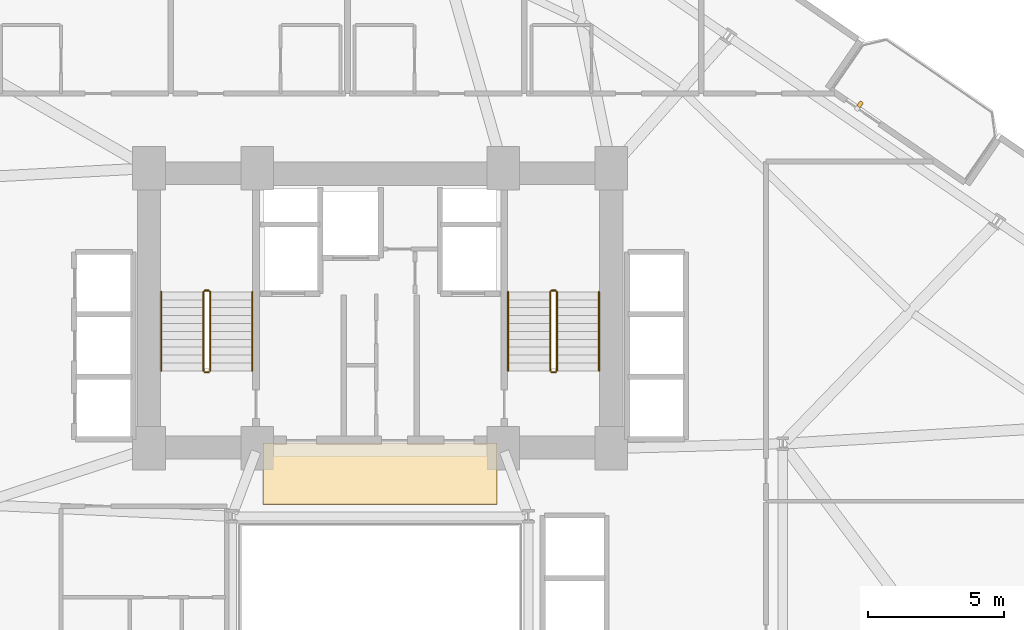
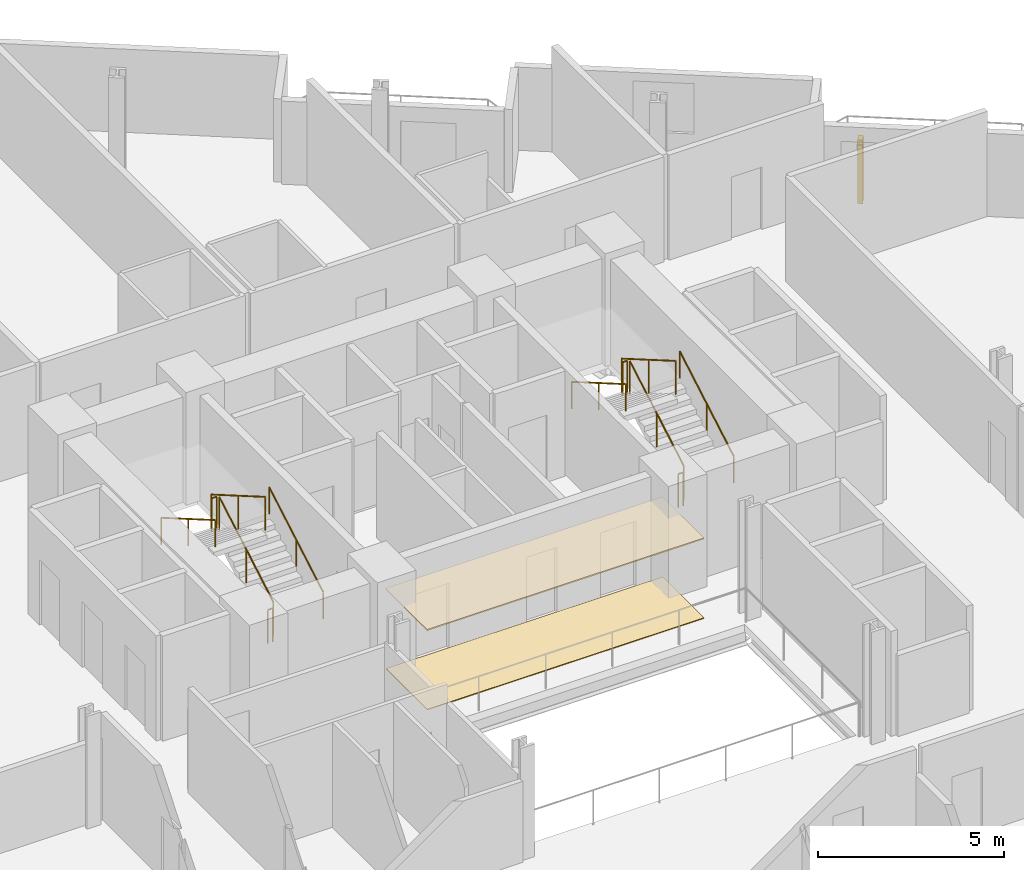
# One storey, part 24 of 25: 12 railings, 2 coverings, 1 shading device.
"""IFC4 building model written with IfcOpenShell, lengths in metres."""

from ifc_helpers import new_model, si_unit, direction, frame, origin, origin_2d, place, context, subcontext, project, spatial, rectangle, circle, extrude, source, transform, mapped, material, layer, layer_set, type_object, element, save


model = new_model("IFC4")

# Units and contexts
model_context = context("Model", 3, precision=1e-05, world=origin(), true_north=direction((0.0, 1.0)))
body_context = subcontext(model_context, "Body", "Model", "MODEL_VIEW")
ifc_project = project(units=[si_unit("LENGTHUNIT", "METRE"), si_unit("AREAUNIT", "SQUARE_METRE"), si_unit("VOLUMEUNIT", "CUBIC_METRE"), si_unit("PLANEANGLEUNIT", "RADIAN"), si_unit("MASSUNIT", "GRAM", prefix="KILO")], contexts=[model_context])

# Site, building, storey
site_placement = place(None, origin())
site = spatial("IfcSite", under=ifc_project, at=site_placement, CompositionType="ELEMENT")
building_placement = place(site_placement, origin())
building = spatial("IfcBuilding", under=site, at=building_placement, Name="Varnelok Gate Tower", CompositionType="ELEMENT")
storey_placement = place(building_placement, frame((0.0, 0.0, 64.0)))
storey = spatial("IfcBuildingStorey", under=building, at=storey_placement, Name="L15", CompositionType="ELEMENT", Elevation=64.0)

# Railings
ifc_material_1 = material(Name="Brushed Stainless Steel AISI 316", Category="steel")
railing_type_1 = type_object("IfcRailingType", Name="RL-HANDRAIL-900", PredefinedType="HANDRAIL", material=ifc_material_1)
railing_1_placement = place(storey_placement, frame((34.5, 31.60009765625, 0.168212890625)))
element("IfcRailing", 1, at=railing_1_placement, inside=storey, type_object=railing_type_1, Name="L15 ST-1 stair handrail 1", PredefinedType="HANDRAIL", context=body_context, shape_type="SweptSolid", body=[
    extrude(circle(Radius=0.02392578125, at=origin_2d()), frame((0.0, 0.0, 0.8759765625), z_axis=(0.0, 0.865038774852, 0.501705010941), x_axis=(-1.0, 0.0, 0.0)), (0.0, 0.0, 1.0), 3.352294921875),
    extrude(circle(Radius=0.02099609375, at=origin_2d()), origin(), (0.0, 0.0, 1.0), 0.851806640625),
    extrude(circle(Radius=0.02099609375, at=origin_2d()), frame((0.0, 1.449951171875, 0.8408203125)), (0.0, 0.0, 1.0), 0.851806640625),
    extrude(circle(Radius=0.02099609375, at=origin_2d()), frame((0.0, 2.89990234375, 1.681884765625)), (0.0, 0.0, 1.0), 0.851806640625),
])
railing_2_placement = place(storey_placement, frame((31.14990234375, 34.5, 2.01806640625)))
element("IfcRailing", 2, at=railing_2_placement, inside=storey, type_object=railing_type_1, Name="L15 ST-1 stair handrail 2", PredefinedType="HANDRAIL", context=body_context, shape_type="SweptSolid", body=[
    extrude(circle(Radius=0.02392578125, at=origin_2d()), frame((0.0, 0.0, 0.8759765625), z_axis=(0.0, -0.865038774852, 0.501705010941), x_axis=(1.0, 0.0, 0.0)), (0.0, 0.0, 1.0), 3.352294921875),
    extrude(circle(Radius=0.02099609375, at=origin_2d()), origin(), (0.0, 0.0, 1.0), 0.851806640625),
    extrude(circle(Radius=0.02099609375, at=origin_2d()), frame((0.0, -1.449951171875, 0.8408203125)), (0.0, 0.0, 1.0), 0.851806640625),
    extrude(circle(Radius=0.02099609375, at=origin_2d()), frame((0.0, -2.89990234375, 1.681884765625)), (0.0, 0.0, 1.0), 0.851806640625),
])
railing_3_placement = place(storey_placement, frame((47.25, 31.60009765625, 0.168212890625)))
element("IfcRailing", 3, at=railing_3_placement, inside=storey, type_object=railing_type_1, Name="L15 ST-2 stair handrail 1", PredefinedType="HANDRAIL", context=body_context, shape_type="SweptSolid", body=[
    extrude(circle(Radius=0.02392578125, at=origin_2d()), frame((0.0, 0.0, 0.8759765625), z_axis=(0.0, 0.865038774852, 0.501705010941), x_axis=(-1.0, 0.0, 0.0)), (0.0, 0.0, 1.0), 3.352294921875),
    extrude(circle(Radius=0.02099609375, at=origin_2d()), origin(), (0.0, 0.0, 1.0), 0.851806640625),
    extrude(circle(Radius=0.02099609375, at=origin_2d()), frame((0.0, 1.449951171875, 0.8408203125)), (0.0, 0.0, 1.0), 0.851806640625),
    extrude(circle(Radius=0.02099609375, at=origin_2d()), frame((0.0, 2.89990234375, 1.681884765625)), (0.0, 0.0, 1.0), 0.851806640625),
])
railing_4_placement = place(storey_placement, frame((43.89990234375, 34.5, 2.01806640625)))
element("IfcRailing", 4, at=railing_4_placement, inside=storey, type_object=railing_type_1, Name="L15 ST-2 stair handrail 2", PredefinedType="HANDRAIL", context=body_context, shape_type="SweptSolid", body=[
    extrude(circle(Radius=0.02392578125, at=origin_2d()), frame((0.0, 0.0, 0.8759765625), z_axis=(0.0, -0.865038774852, 0.501705010941), x_axis=(1.0, 0.0, 0.0)), (0.0, 0.0, 1.0), 3.352294921875),
    extrude(circle(Radius=0.02099609375, at=origin_2d()), origin(), (0.0, 0.0, 1.0), 0.851806640625),
    extrude(circle(Radius=0.02099609375, at=origin_2d()), frame((0.0, -1.449951171875, 0.8408203125)), (0.0, 0.0, 1.0), 0.851806640625),
    extrude(circle(Radius=0.02099609375, at=origin_2d()), frame((0.0, -2.89990234375, 1.681884765625)), (0.0, 0.0, 1.0), 0.851806640625),
])
ifc_material_2 = material(Name="Galvanized Steel Grade S350GD", Category="steel")
railing_type_2 = type_object("IfcRailingType", Name="RL-STAIR-GUARD1120", PredefinedType="GUARDRAIL", material=ifc_material_2)
railing_5_placement = place(storey_placement, frame((32.949951171875, 31.60009765625, 0.168212890625)))
element("IfcRailing", 5, at=railing_5_placement, inside=storey, type_object=railing_type_2, Name="L15 ST-1 stair guard 1", PredefinedType="GUARDRAIL", context=body_context, shape_type="SweptSolid", body=[
    extrude(circle(Radius=0.02392578125, at=origin_2d()), frame((0.0, 0.0, 1.09619140625), z_axis=(0.0, 0.865038774852, 0.501705010941), x_axis=(-1.0, 0.0, 0.0)), (0.0, 0.0, 1.0), 3.352294921875),
    extrude(circle(Radius=0.02099609375, at=origin_2d()), origin(), (0.0, 0.0, 1.0), 1.072021484375),
    extrude(circle(Radius=0.02099609375, at=origin_2d()), frame((0.0, 1.449951171875, 0.8408203125)), (0.0, 0.0, 1.0), 1.072021484375),
    extrude(circle(Radius=0.02099609375, at=origin_2d()), frame((0.0, 2.89990234375, 1.681884765625)), (0.0, 0.0, 1.0), 1.072021484375),
])
railing_6_placement = place(storey_placement, frame((32.89990234375, 34.550048828125, 1.85009765625)))
element("IfcRailing", 6, at=railing_6_placement, inside=storey, type_object=railing_type_2, Name="L15 ST-1 stair guard 2", PredefinedType="GUARDRAIL", context=body_context, shape_type="SweptSolid", body=[
    extrude(circle(Radius=0.02392578125, at=origin_2d()), frame((0.0, 0.0, 1.09619140625), z_axis=(-1.0, 0.0, 0.0), x_axis=(0.0, -1.0, 0.0)), (0.0, 0.0, 1.0), 0.14990234375),
    extrude(circle(Radius=0.02099609375, at=origin_2d()), origin(), (0.0, 0.0, 1.0), 1.072021484375),
    extrude(circle(Radius=0.02099609375, at=origin_2d()), frame((-0.14990234375, 0.0, 0.0)), (0.0, 0.0, 1.0), 1.072021484375),
])
railing_7_placement = place(storey_placement, frame((32.699951171875, 34.5, 2.01806640625)))
element("IfcRailing", 7, at=railing_7_placement, inside=storey, type_object=railing_type_2, Name="L15 ST-1 stair guard 3", PredefinedType="GUARDRAIL", context=body_context, shape_type="SweptSolid", body=[
    extrude(circle(Radius=0.02392578125, at=origin_2d()), frame((0.0, 0.0, 1.09619140625), z_axis=(0.0, -0.865038774852, 0.501705010941), x_axis=(1.0, 0.0, 0.0)), (0.0, 0.0, 1.0), 3.352294921875),
    extrude(circle(Radius=0.02099609375, at=origin_2d()), origin(), (0.0, 0.0, 1.0), 1.072021484375),
    extrude(circle(Radius=0.02099609375, at=origin_2d()), frame((0.0, -1.449951171875, 0.8408203125)), (0.0, 0.0, 1.0), 1.072021484375),
    extrude(circle(Radius=0.02099609375, at=origin_2d()), frame((0.0, -2.89990234375, 1.681884765625)), (0.0, 0.0, 1.0), 1.072021484375),
])
railing_8_placement = place(storey_placement, frame((32.89990234375, 31.550048828125, 0.0)))
element("IfcRailing", 8, at=railing_8_placement, inside=storey, type_object=railing_type_2, Name="L15 ST-1 stair guard 4", PredefinedType="GUARDRAIL", context=body_context, shape_type="SweptSolid", body=[
    extrude(circle(Radius=0.02392578125, at=origin_2d()), frame((0.0, 0.0, 1.09619140625), z_axis=(-1.0, 0.0, 0.0), x_axis=(0.0, -1.0, 0.0)), (0.0, 0.0, 1.0), 0.14990234375),
    extrude(circle(Radius=0.02099609375, at=origin_2d()), origin(), (0.0, 0.0, 1.0), 1.072021484375),
    extrude(circle(Radius=0.02099609375, at=origin_2d()), frame((-0.14990234375, 0.0, 0.0)), (0.0, 0.0, 1.0), 1.072021484375),
])
railing_9_placement = place(storey_placement, frame((45.699951171875, 31.60009765625, 0.168212890625)))
element("IfcRailing", 9, at=railing_9_placement, inside=storey, type_object=railing_type_2, Name="L15 ST-2 stair guard 1", PredefinedType="GUARDRAIL", context=body_context, shape_type="SweptSolid", body=[
    extrude(circle(Radius=0.02392578125, at=origin_2d()), frame((0.0, 0.0, 1.09619140625), z_axis=(0.0, 0.865038774852, 0.501705010941), x_axis=(-1.0, 0.0, 0.0)), (0.0, 0.0, 1.0), 3.352294921875),
    extrude(circle(Radius=0.02099609375, at=origin_2d()), origin(), (0.0, 0.0, 1.0), 1.072021484375),
    extrude(circle(Radius=0.02099609375, at=origin_2d()), frame((0.0, 1.449951171875, 0.8408203125)), (0.0, 0.0, 1.0), 1.072021484375),
    extrude(circle(Radius=0.02099609375, at=origin_2d()), frame((0.0, 2.89990234375, 1.681884765625)), (0.0, 0.0, 1.0), 1.072021484375),
])
railing_10_placement = place(storey_placement, frame((45.64990234375, 34.550048828125, 1.85009765625)))
element("IfcRailing", 10, at=railing_10_placement, inside=storey, type_object=railing_type_2, Name="L15 ST-2 stair guard 2", PredefinedType="GUARDRAIL", context=body_context, shape_type="SweptSolid", body=[
    extrude(circle(Radius=0.02392578125, at=origin_2d()), frame((0.0, 0.0, 1.09619140625), z_axis=(-1.0, 0.0, 0.0), x_axis=(0.0, -1.0, 0.0)), (0.0, 0.0, 1.0), 0.14990234375),
    extrude(circle(Radius=0.02099609375, at=origin_2d()), origin(), (0.0, 0.0, 1.0), 1.072021484375),
    extrude(circle(Radius=0.02099609375, at=origin_2d()), frame((-0.14990234375, 0.0, 0.0)), (0.0, 0.0, 1.0), 1.072021484375),
])
railing_11_placement = place(storey_placement, frame((45.449951171875, 34.5, 2.01806640625)))
element("IfcRailing", 11, at=railing_11_placement, inside=storey, type_object=railing_type_2, Name="L15 ST-2 stair guard 3", PredefinedType="GUARDRAIL", context=body_context, shape_type="SweptSolid", body=[
    extrude(circle(Radius=0.02392578125, at=origin_2d()), frame((0.0, 0.0, 1.09619140625), z_axis=(0.0, -0.865038774852, 0.501705010941), x_axis=(1.0, 0.0, 0.0)), (0.0, 0.0, 1.0), 3.352294921875),
    extrude(circle(Radius=0.02099609375, at=origin_2d()), origin(), (0.0, 0.0, 1.0), 1.072021484375),
    extrude(circle(Radius=0.02099609375, at=origin_2d()), frame((0.0, -1.449951171875, 0.8408203125)), (0.0, 0.0, 1.0), 1.072021484375),
    extrude(circle(Radius=0.02099609375, at=origin_2d()), frame((0.0, -2.89990234375, 1.681884765625)), (0.0, 0.0, 1.0), 1.072021484375),
])
railing_12_placement = place(storey_placement, frame((45.64990234375, 31.550048828125, 0.0)))
element("IfcRailing", 12, at=railing_12_placement, inside=storey, type_object=railing_type_2, Name="L15 ST-2 stair guard 4", PredefinedType="GUARDRAIL", context=body_context, shape_type="SweptSolid", body=[
    extrude(circle(Radius=0.02392578125, at=origin_2d()), frame((0.0, 0.0, 1.09619140625), z_axis=(-1.0, 0.0, 0.0), x_axis=(0.0, -1.0, 0.0)), (0.0, 0.0, 1.0), 0.14990234375),
    extrude(circle(Radius=0.02099609375, at=origin_2d()), origin(), (0.0, 0.0, 1.0), 1.072021484375),
    extrude(circle(Radius=0.02099609375, at=origin_2d()), frame((-0.14990234375, 0.0, 0.0)), (0.0, 0.0, 1.0), 1.072021484375),
])

# Shading device
ifc_material_3 = material(Name="Glazed Architectural Terracotta Ceramic", Category="masonry")
shading_device_type = type_object("IfcShadingDeviceType", Name="SHD-TERRA-FIN", PredefinedType="USERDEFINED", material=ifc_material_3)
shared_shape_1 = source(origin(), body_context, "Body", "SweptSolid", [
    extrude(rectangle(XDim=0.139892578125, YDim=0.219970703125, at=origin_2d()), origin(), (0.0, 0.0, 1.0), 2.10009765625),
])
shading_device_placement = place(storey_placement, frame((56.847412109375, 41.400390625, 0.099853515625), z_axis=(0.0, 0.0, 1.0), x_axis=(0.823532597628, -0.567268949127, 0.0)))
element("IfcShadingDevice", 13, at=shading_device_placement, inside=storey, type_object=shading_device_type, Name="L15 Terracotta Ceramic Baguette Sunscreen 4.1", ObjectType="BAGUETTE", PredefinedType="USERDEFINED", context=body_context, shape_type="MappedRepresentation", body=[
    mapped(shared_shape_1, transform((0.0, 0.0, 0.0), scale=1.0)),
])

# Coverings
ifc_material_4 = material(Name="Honed Travertine Stone Flooring", Category="masonry")
ifc_layer_1 = layer(ifc_material_4, 0.02490234375)
ifc_layer_set_1 = layer_set([ifc_layer_1], Name="Honed Travertine Stone Flooring")
covering_type_1 = type_object("IfcCoveringType", Name="COV-FLOR-STONE", PredefinedType="FLOORING", material=ifc_layer_set_1)
shared_shape_2 = source(origin(), body_context, "Body", "SweptSolid", [
    extrude(rectangle(XDim=8.60009765625, YDim=2.219970703125, at=origin_2d()), origin(), (0.0, 0.0, 1.0), 0.02490234375),
])
covering_1_placement = place(storey_placement, frame((39.199951171875, 27.800048828125, 0.0), z_axis=(0.0, 0.0, 1.0), x_axis=(1.0, 0.0, 0.0)))
element("IfcCovering", 14, at=covering_1_placement, inside=storey, type_object=covering_type_1, Name="L15 Core Gallery Stone Flooring", PredefinedType="FLOORING", context=body_context, shape_type="MappedRepresentation", body=[
    mapped(shared_shape_2, transform((0.0, 0.0, 0.0), scale=1.0)),
])
ifc_material_5 = material(Name="Mineral Fiber Acoustic Ceiling Tile")
ifc_layer_2 = layer(ifc_material_5, 0.0400390625)
ifc_layer_set_2 = layer_set([ifc_layer_2], Name="Mineral Fiber Acoustic Ceiling Tile")
covering_type_2 = type_object("IfcCoveringType", Name="COV-CEIL-ACOUST", PredefinedType="CEILING", material=ifc_layer_set_2)
shared_shape_3 = source(origin(), body_context, "Body", "SweptSolid", [
    extrude(rectangle(XDim=8.60009765625, YDim=2.239990234375, at=origin_2d()), origin(), (0.0, 0.0, 1.0), 0.0400390625),
])
covering_2_placement = place(storey_placement, frame((39.199951171875, 27.820068359375, 2.60009765625), z_axis=(0.0, 0.0, 1.0), x_axis=(1.0, 0.0, 0.0)))
element("IfcCovering", 15, at=covering_2_placement, inside=storey, type_object=covering_type_2, Name="L15 Core Gallery Acoustic Ceiling", PredefinedType="CEILING", context=body_context, shape_type="MappedRepresentation", body=[
    mapped(shared_shape_3, transform((0.0, 0.0, 0.0), scale=1.0)),
])

save(model, "model.ifc")
